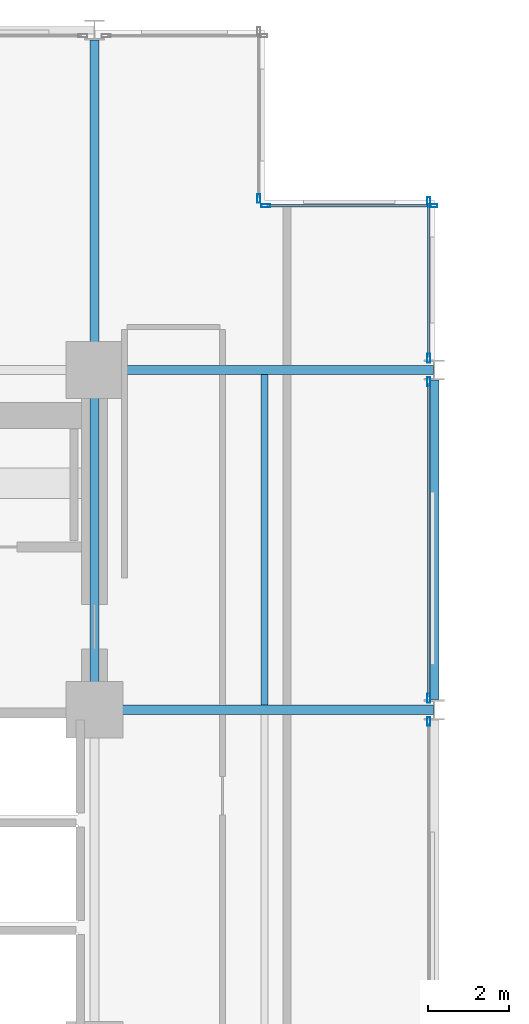
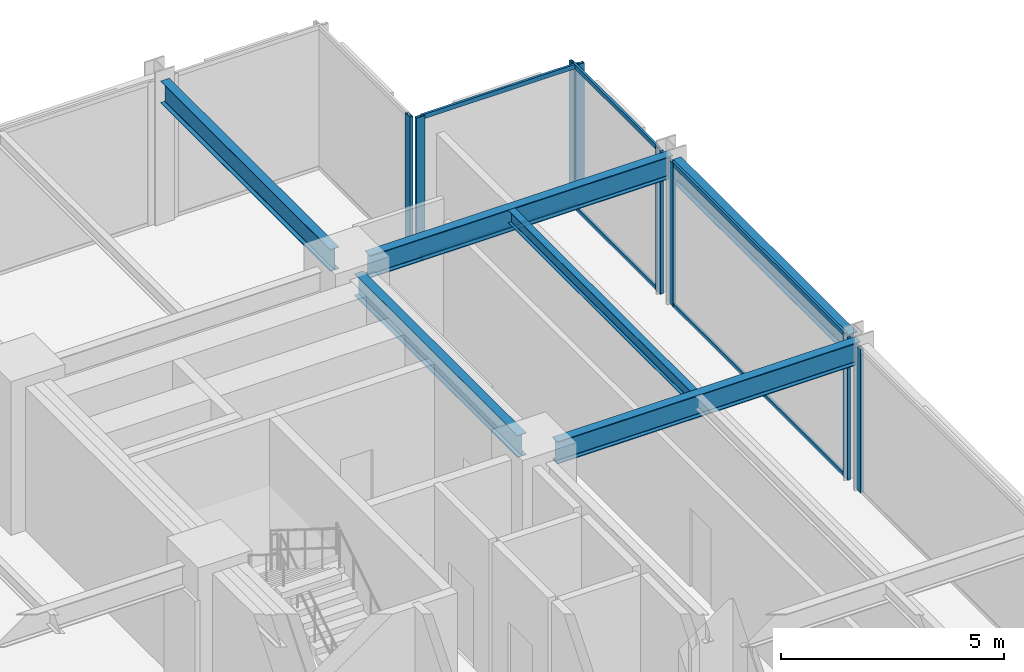
# One storey, part 18 of 26: 14 members, 6 beams, 5 elements without a shape of their own.
"""IFC4 building model written with IfcOpenShell, lengths in metres."""

from ifc_helpers import new_model, si_unit, direction, frame, origin, origin_2d, place, context, subcontext, project, spatial, hollow_rectangle, i_section, extrude, material, layer, layer_set, material_profile, profile_set, type_object, element, aggregate, save


model = new_model("IFC4")

# Units and contexts
model_context = context("Model", 3, precision=1e-05, world=origin(), true_north=direction((0.0, 1.0)))
body_context = subcontext(model_context, "Body", "Model", "MODEL_VIEW")
ifc_project = project(units=[si_unit("LENGTHUNIT", "METRE"), si_unit("AREAUNIT", "SQUARE_METRE"), si_unit("VOLUMEUNIT", "CUBIC_METRE"), si_unit("PLANEANGLEUNIT", "RADIAN"), si_unit("MASSUNIT", "GRAM", prefix="KILO")], contexts=[model_context])

# Site, building, storey
site_placement = place(None, origin())
site = spatial("IfcSite", under=ifc_project, at=site_placement, CompositionType="ELEMENT")
building_placement = place(site_placement, origin())
building = spatial("IfcBuilding", under=site, at=building_placement, Name="Nerrivon Quay Data Exchange", CompositionType="ELEMENT")
storey_placement = place(building_placement, frame((0.0, 0.0, 71.0)))
storey = spatial("IfcBuildingStorey", under=building, at=storey_placement, Name="L16", CompositionType="ELEMENT", Elevation=71.0)

# Beams
ifc_material_1 = material(Name="Steel Grade 350", Category="steel")
ifc_material_profile_1 = material_profile(ifc_material_1, i_section(OverallWidth=0.22900390625, OverallDepth=0.612060546875, WebThickness=0.011962890625, FlangeThickness=0.01953125, FilletRadius=0.013916015625, at=origin_2d()), Name="610UB125")
ifc_profile_set_1 = profile_set([ifc_material_profile_1], Name="Steel Grade 350")
beam_type_1 = type_object("IfcBeamType", Name="BM-G1-610UB125", PredefinedType="BEAM", material=ifc_profile_set_1)
for number, where, z_axis, x_axis, name in (
    (1, (17.340087890625, 33.60009765625, 3.618896484375), (1.0, 0.0, 0.0), (0.0, 1.0, 0.0), "L16 EW Girder Y=33.6 (16.8..25.2)"),
    (2, (17.340087890625, 42.0, 3.618896484375), (1.0, 0.0, 0.0), (0.0, 1.0, 0.0), "L16 EW Girder Y=42.0 (16.8..25.2)"),
):
    element("IfcBeam", number, at=place(storey_placement, frame(where, z_axis=z_axis, x_axis=x_axis)), inside=storey, type_object=beam_type_1, Name=name, PredefinedType="BEAM", context=body_context, shape_type="SweptSolid", body=[
        extrude(i_section(OverallWidth=0.22900390625, OverallDepth=0.612060546875, WebThickness=0.011962890625, FlangeThickness=0.01953125, FilletRadius=0.013916015625, at=origin_2d()), origin(), (0.0, 0.0, 1.0), 7.845947265625),
    ])
ifc_material_profile_2 = material_profile(ifc_material_1, i_section(OverallWidth=0.22802734375, OverallDepth=0.60205078125, WebThickness=0.010498046875, FlangeThickness=0.014892578125, FilletRadius=0.013916015625, at=origin_2d()), Name="610UB101")
ifc_profile_set_2 = profile_set([ifc_material_profile_2], Name="Steel Grade 350")
beam_type_2 = type_object("IfcBeamType", Name="BM-G2-610UB101", PredefinedType="BEAM", material=ifc_profile_set_2)
beam_1_placement = place(storey_placement, frame((16.800048828125, 34.139892578125, 3.6240234375), z_axis=(0.0, 1.0, 0.0), x_axis=(-1.0, 0.0, 0.0)))
element("IfcBeam", 3, at=beam_1_placement, inside=storey, type_object=beam_type_2, Name="L16 NS Girder X=16.8 (33.6..42.0)", PredefinedType="BEAM", context=body_context, shape_type="SweptSolid", body=[
    extrude(i_section(OverallWidth=0.22802734375, OverallDepth=0.60205078125, WebThickness=0.010498046875, FlangeThickness=0.014892578125, FilletRadius=0.013916015625, at=origin_2d()), origin(), (0.0, 0.0, 1.0), 7.320068359375),
])
beam_2_placement = place(storey_placement, frame((16.800048828125, 42.5400390625, 3.6240234375), z_axis=(0.0, 1.0, 0.0), x_axis=(-1.0, 0.0, 0.0)))
element("IfcBeam", 4, at=beam_2_placement, inside=storey, type_object=beam_type_2, Name="L16 NS Girder X=16.8 (42.0..50.4)", PredefinedType="BEAM", context=body_context, shape_type="SweptSolid", body=[
    extrude(i_section(OverallWidth=0.22802734375, OverallDepth=0.60205078125, WebThickness=0.010498046875, FlangeThickness=0.014892578125, FilletRadius=0.013916015625, at=origin_2d()), origin(), (0.0, 0.0, 1.0), 7.60986328125),
])
beam_3_placement = place(storey_placement, frame((25.199951171875, 33.85009765625, 3.6240234375), z_axis=(0.0, 1.0, 0.0), x_axis=(-1.0, 0.0, 0.0)))
element("IfcBeam", 5, at=beam_3_placement, inside=storey, type_object=beam_type_2, Name="L16 NS Girder X=25.2 (33.6..42.0)", PredefinedType="BEAM", context=body_context, shape_type="SweptSolid", body=[
    extrude(i_section(OverallWidth=0.22802734375, OverallDepth=0.60205078125, WebThickness=0.010498046875, FlangeThickness=0.014892578125, FilletRadius=0.013916015625, at=origin_2d()), origin(), (0.0, 0.0, 1.0), 7.89990234375),
])
ifc_material_profile_3 = material_profile(ifc_material_1, i_section(OverallWidth=0.172119140625, OverallDepth=0.35888671875, WebThickness=0.008056640625, FlangeThickness=0.012939453125, FilletRadius=0.011474609375, at=origin_2d()), Name="360UB56.7")
ifc_profile_set_3 = profile_set([ifc_material_profile_3], Name="Steel Grade 350")
beam_type_3 = type_object("IfcBeamType", Name="BM-J3-360UB57", PredefinedType="JOIST", material=ifc_profile_set_3)
beam_4_placement = place(storey_placement, frame((21.0, 33.714599609375, 3.74560546875), z_axis=(0.0, 1.0, 0.0), x_axis=(-1.0, 0.0, 0.0)))
element("IfcBeam", 6, at=beam_4_placement, inside=storey, type_object=beam_type_3, Name="L16 Secondary Joist X=21.0 (33.6..42.0)", PredefinedType="JOIST", context=body_context, shape_type="SweptSolid", body=[
    extrude(i_section(OverallWidth=0.172119140625, OverallDepth=0.35888671875, WebThickness=0.008056640625, FlangeThickness=0.012939453125, FilletRadius=0.011474609375, at=origin_2d()), origin(), (0.0, 0.0, 1.0), 8.1708984375),
])

# Curtain wall, member
ifc_material_2 = material(Name="Anodised aluminium 6063-T6", Category="aluminium")
ifc_layer = layer(ifc_material_2, 0.219970703125)
ifc_layer_set = layer_set([ifc_layer], Name="Anodised aluminium 6063-T6")
curtain_wall_type = type_object("IfcCurtainWallType", Name="CW-SYS-01", PredefinedType="NOTDEFINED", material=ifc_layer_set)
curtain_wall_1_placement = place(storey_placement, origin())
curtain_wall_1 = element("IfcCurtainWall", 7, at=curtain_wall_1_placement, inside=storey, type_object=curtain_wall_type, Name="L16 Unitised Curtain Wall 27", PredefinedType="NOTDEFINED")
ifc_material_profile_4 = material_profile(ifc_material_2, hollow_rectangle(XDim=0.074951171875, YDim=0.219970703125, WallThickness=0.00390625, at=origin_2d()), Name="ALU-MULL-220x75")
ifc_profile_set_4 = profile_set([ifc_material_profile_4], Name="Anodised aluminium 6063-T6")
member_type_1 = type_object("IfcMemberType", Name="CWM-220x75", PredefinedType="MULLION", material=ifc_profile_set_4)
member_1_placement = place(storey_placement, frame((20.860107421875, 46.237548828125, 0.0), z_axis=(0.0, 0.0, 1.0), x_axis=(1.0, 0.0, 0.0)))
member_1 = element("IfcMember", 8, at=member_1_placement, type_object=member_type_1, Name="CW01 mullion 2", PredefinedType="MULLION", context=body_context, shape_type="SweptSolid", body=[
    extrude(hollow_rectangle(XDim=0.074951171875, YDim=0.219970703125, WallThickness=0.00390625, at=origin_2d()), origin(), (0.0, 0.0, 1.0), 3.925048828125),
])
aggregate(curtain_wall_1, [member_1])

# Curtain wall, members
curtain_wall_2_placement = place(storey_placement, origin())
curtain_wall_2 = element("IfcCurtainWall", 9, at=curtain_wall_2_placement, inside=storey, type_object=curtain_wall_type, Name="L16 Unitised Curtain Wall 28", PredefinedType="NOTDEFINED")
member_2_placement = place(storey_placement, frame((21.03759765625, 46.06005859375, 0.0), z_axis=(0.0, 0.0, 1.0), x_axis=(0.0, 1.0, 0.0)))
member_2 = element("IfcMember", 10, at=member_2_placement, type_object=member_type_1, Name="CW01 mullion 1", PredefinedType="MULLION", context=body_context, shape_type="SweptSolid", body=[
    extrude(hollow_rectangle(XDim=0.074951171875, YDim=0.219970703125, WallThickness=0.00390625, at=origin_2d()), origin(), (0.0, 0.0, 1.0), 3.925048828125),
])
member_3_placement = place(storey_placement, frame((25.16259765625, 46.06005859375, 0.0), z_axis=(0.0, 0.0, 1.0), x_axis=(0.0, 1.0, 0.0)))
member_3 = element("IfcMember", 11, at=member_3_placement, type_object=member_type_1, Name="CW01 mullion 2", PredefinedType="MULLION", context=body_context, shape_type="SweptSolid", body=[
    extrude(hollow_rectangle(XDim=0.074951171875, YDim=0.219970703125, WallThickness=0.00390625, at=origin_2d()), origin(), (0.0, 0.0, 1.0), 3.925048828125),
])

curtain_wall_3_placement = place(storey_placement, origin())
curtain_wall_3 = element("IfcCurtainWall", 12, at=curtain_wall_3_placement, inside=storey, type_object=curtain_wall_type, Name="L16 Unitised Curtain Wall 29", PredefinedType="NOTDEFINED")
member_4_placement = place(storey_placement, frame((25.06005859375, 46.16259765625, 0.0), z_axis=(0.0, 0.0, 1.0), x_axis=(1.0, 0.0, 0.0)))
member_4 = element("IfcMember", 13, at=member_4_placement, type_object=member_type_1, Name="CW01 mullion 1", PredefinedType="MULLION", context=body_context, shape_type="SweptSolid", body=[
    extrude(hollow_rectangle(XDim=0.074951171875, YDim=0.219970703125, WallThickness=0.00390625, at=origin_2d()), origin(), (0.0, 0.0, 1.0), 3.925048828125),
])
member_5_placement = place(storey_placement, frame((25.06005859375, 42.28759765625, 0.0), z_axis=(0.0, 0.0, 1.0), x_axis=(1.0, 0.0, 0.0)))
member_5 = element("IfcMember", 14, at=member_5_placement, type_object=member_type_1, Name="CW01 mullion 2", PredefinedType="MULLION", context=body_context, shape_type="SweptSolid", body=[
    extrude(hollow_rectangle(XDim=0.074951171875, YDim=0.219970703125, WallThickness=0.00390625, at=origin_2d()), origin(), (0.0, 0.0, 1.0), 3.925048828125),
])

curtain_wall_4_placement = place(storey_placement, origin())
curtain_wall_4 = element("IfcCurtainWall", 15, at=curtain_wall_4_placement, inside=storey, type_object=curtain_wall_type, Name="L16 Unitised Curtain Wall 30", PredefinedType="NOTDEFINED")
member_6_placement = place(storey_placement, frame((25.06005859375, 41.71240234375, 0.0), z_axis=(0.0, 0.0, 1.0), x_axis=(1.0, 0.0, 0.0)))
member_6 = element("IfcMember", 16, at=member_6_placement, type_object=member_type_1, Name="CW01 mullion 1", PredefinedType="MULLION", context=body_context, shape_type="SweptSolid", body=[
    extrude(hollow_rectangle(XDim=0.074951171875, YDim=0.219970703125, WallThickness=0.00390625, at=origin_2d()), origin(), (0.0, 0.0, 1.0), 3.925048828125),
])
member_7_placement = place(storey_placement, frame((25.06005859375, 33.887451171875, 0.0), z_axis=(0.0, 0.0, 1.0), x_axis=(1.0, 0.0, 0.0)))
member_7 = element("IfcMember", 17, at=member_7_placement, type_object=member_type_1, Name="CW01 mullion 2", PredefinedType="MULLION", context=body_context, shape_type="SweptSolid", body=[
    extrude(hollow_rectangle(XDim=0.074951171875, YDim=0.219970703125, WallThickness=0.00390625, at=origin_2d()), origin(), (0.0, 0.0, 1.0), 3.925048828125),
])

# Curtain wall, member
curtain_wall_5_placement = place(storey_placement, origin())
curtain_wall_5 = element("IfcCurtainWall", 18, at=curtain_wall_5_placement, inside=storey, type_object=curtain_wall_type, Name="L16 Unitised Curtain Wall 31", PredefinedType="NOTDEFINED")
member_8_placement = place(storey_placement, frame((25.06005859375, 33.3125, 0.0), z_axis=(0.0, 0.0, 1.0), x_axis=(1.0, 0.0, 0.0)))
member_8 = element("IfcMember", 19, at=member_8_placement, type_object=member_type_1, Name="CW01 mullion 1", PredefinedType="MULLION", context=body_context, shape_type="SweptSolid", body=[
    extrude(hollow_rectangle(XDim=0.074951171875, YDim=0.219970703125, WallThickness=0.00390625, at=origin_2d()), origin(), (0.0, 0.0, 1.0), 3.925048828125),
])
aggregate(curtain_wall_5, [member_8])

# Member
ifc_material_profile_5 = material_profile(ifc_material_2, hollow_rectangle(XDim=0.06005859375, YDim=0.1201171875, WallThickness=0.003173828125, at=origin_2d()), Name="ALU-TRAN-120x60")
ifc_profile_set_5 = profile_set([ifc_material_profile_5], Name="Anodised aluminium 6063-T6")
member_type_2 = type_object("IfcMemberType", Name="CWT-120x60", PredefinedType="USERDEFINED", material=ifc_profile_set_5)
member_9_placement = place(storey_placement, frame((21.074951171875, 46.06005859375, 0.032470703125), z_axis=(1.0, 0.0, 0.0), x_axis=(0.0, 1.0, 0.0)))
member_9 = element("IfcMember", 20, at=member_9_placement, type_object=member_type_2, Name="CW01 transom 1.1", ObjectType="TRANSOM", PredefinedType="USERDEFINED", context=body_context, shape_type="SweptSolid", body=[
    extrude(hollow_rectangle(XDim=0.06005859375, YDim=0.1201171875, WallThickness=0.003173828125, at=origin_2d()), origin(), (0.0, 0.0, 1.0), 4.050048828125),
])

member_10_placement = place(storey_placement, frame((21.074951171875, 46.06005859375, 3.892578125), z_axis=(1.0, 0.0, 0.0), x_axis=(0.0, 1.0, 0.0)))
member_10 = element("IfcMember", 21, at=member_10_placement, type_object=member_type_2, Name="CW01 transom 1.2", ObjectType="TRANSOM", PredefinedType="USERDEFINED", context=body_context, shape_type="SweptSolid", body=[
    extrude(hollow_rectangle(XDim=0.06005859375, YDim=0.1201171875, WallThickness=0.003173828125, at=origin_2d()), origin(), (0.0, 0.0, 1.0), 4.050048828125),
])

aggregate(curtain_wall_2, [member_2, member_3, member_9, member_10])

member_11_placement = place(storey_placement, frame((25.06005859375, 46.125, 0.032470703125), z_axis=(0.0, -1.0, 0.0), x_axis=(1.0, 0.0, 0.0)))
member_11 = element("IfcMember", 22, at=member_11_placement, type_object=member_type_2, Name="CW01 transom 1.1", ObjectType="TRANSOM", PredefinedType="USERDEFINED", context=body_context, shape_type="SweptSolid", body=[
    extrude(hollow_rectangle(XDim=0.06005859375, YDim=0.1201171875, WallThickness=0.003173828125, at=origin_2d()), origin(), (0.0, 0.0, 1.0), 3.800048828125),
])

member_12_placement = place(storey_placement, frame((25.06005859375, 46.125, 3.892578125), z_axis=(0.0, -1.0, 0.0), x_axis=(1.0, 0.0, 0.0)))
member_12 = element("IfcMember", 23, at=member_12_placement, type_object=member_type_2, Name="CW01 transom 1.2", ObjectType="TRANSOM", PredefinedType="USERDEFINED", context=body_context, shape_type="SweptSolid", body=[
    extrude(hollow_rectangle(XDim=0.06005859375, YDim=0.1201171875, WallThickness=0.003173828125, at=origin_2d()), origin(), (0.0, 0.0, 1.0), 3.800048828125),
])

aggregate(curtain_wall_3, [member_4, member_5, member_11, member_12])

member_13_placement = place(storey_placement, frame((25.06005859375, 41.675048828125, 0.032470703125), z_axis=(0.0, -1.0, 0.0), x_axis=(1.0, 0.0, 0.0)))
member_13 = element("IfcMember", 24, at=member_13_placement, type_object=member_type_2, Name="CW01 transom 1.1", ObjectType="TRANSOM", PredefinedType="USERDEFINED", context=body_context, shape_type="SweptSolid", body=[
    extrude(hollow_rectangle(XDim=0.06005859375, YDim=0.1201171875, WallThickness=0.003173828125, at=origin_2d()), origin(), (0.0, 0.0, 1.0), 7.75),
])

member_14_placement = place(storey_placement, frame((25.06005859375, 41.675048828125, 3.892578125), z_axis=(0.0, -1.0, 0.0), x_axis=(1.0, 0.0, 0.0)))
member_14 = element("IfcMember", 25, at=member_14_placement, type_object=member_type_2, Name="CW01 transom 1.2", ObjectType="TRANSOM", PredefinedType="USERDEFINED", context=body_context, shape_type="SweptSolid", body=[
    extrude(hollow_rectangle(XDim=0.06005859375, YDim=0.1201171875, WallThickness=0.003173828125, at=origin_2d()), origin(), (0.0, 0.0, 1.0), 7.75),
])

aggregate(curtain_wall_4, [member_6, member_7, member_13, member_14])

save(model, "model.ifc")
